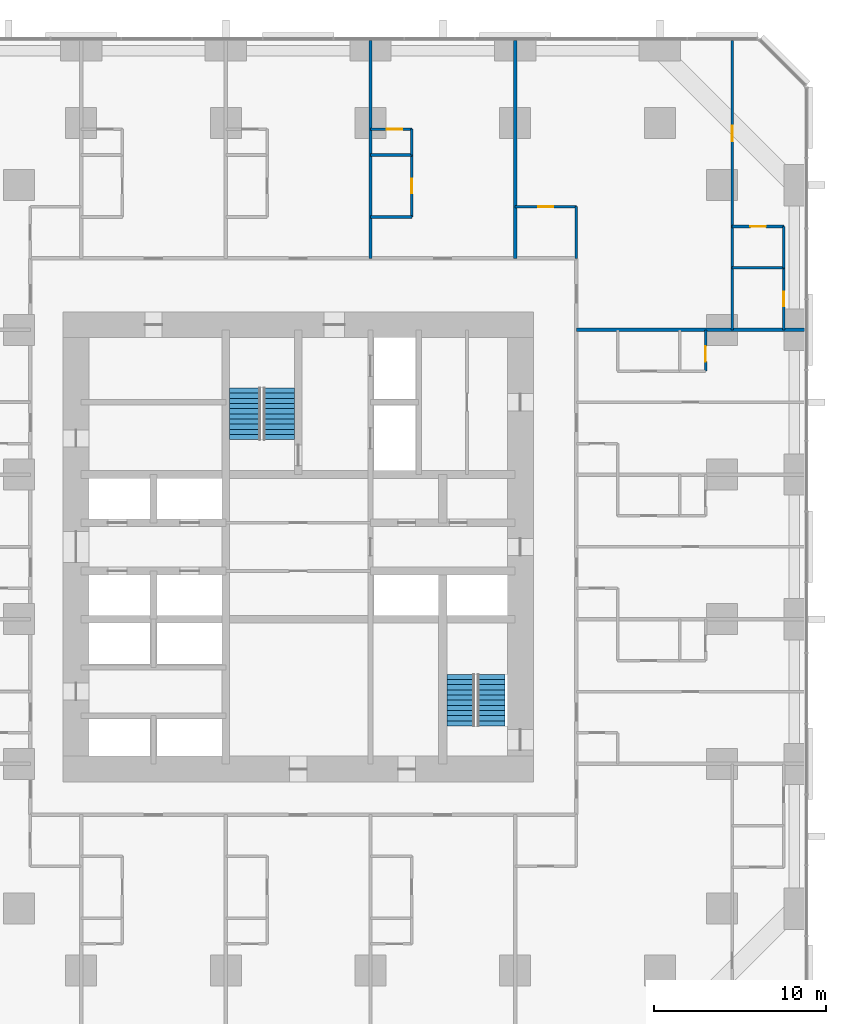
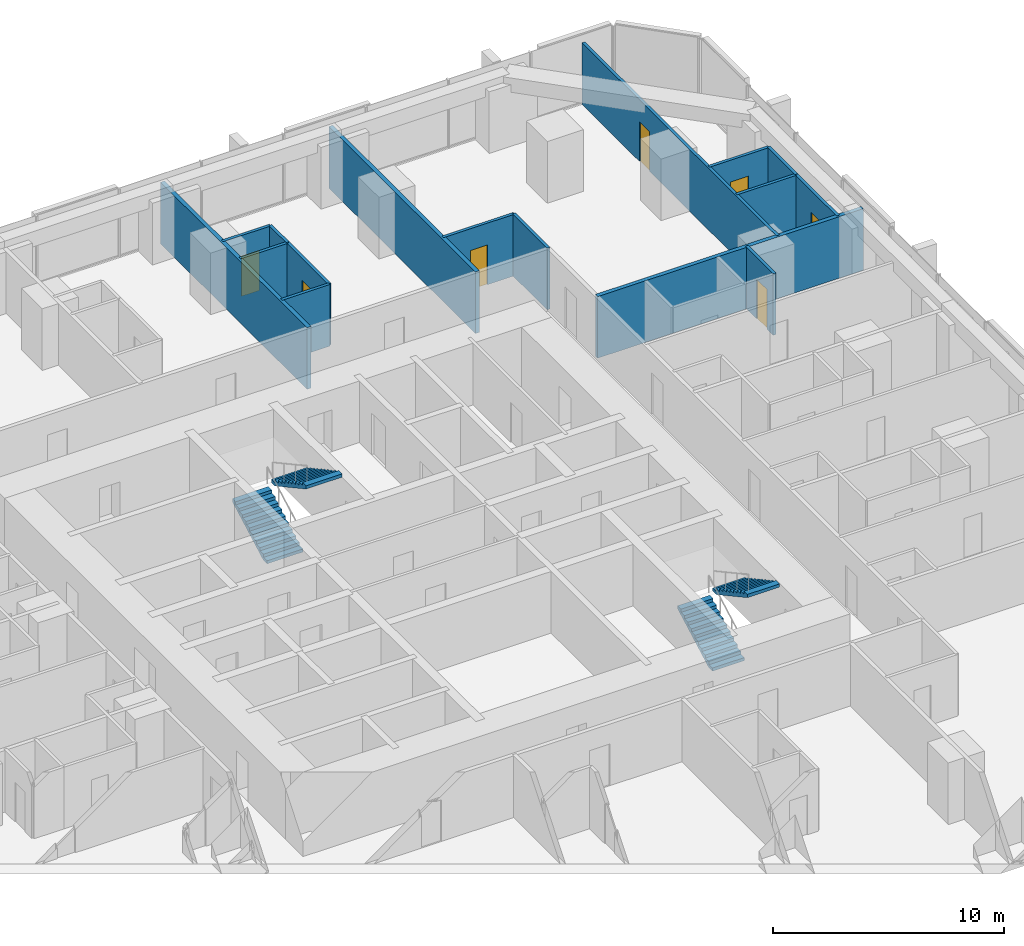
# One storey, part 16 of 17: 16 walls, 7 doors, 4 stair flights, 7 openings, 2 elements without a shape of their own.
"""IFC4 building model written with IfcOpenShell, lengths in metres."""

from ifc_helpers import new_model, si_unit, direction, frame, frame_2d, origin, place, context, subcontext, project, spatial, polyline, rectangle, outline, extrude, material, layer, layer_set, type_object, element, fill, aggregate, save


model = new_model("IFC4")

# Units and contexts
model_context = context("Model", 3, precision=1e-05, world=origin(), true_north=direction((0.0, 1.0)))
body_context = subcontext(model_context, "Body", "Model", "MODEL_VIEW")
ifc_project = project(units=[si_unit("LENGTHUNIT", "METRE"), si_unit("AREAUNIT", "SQUARE_METRE"), si_unit("VOLUMEUNIT", "CUBIC_METRE"), si_unit("PLANEANGLEUNIT", "RADIAN"), si_unit("MASSUNIT", "GRAM", prefix="KILO")], contexts=[model_context])

# Site, building, storey
site_placement = place(None, origin())
site = spatial("IfcSite", under=ifc_project, at=site_placement, CompositionType="ELEMENT")
building_placement = place(site_placement, origin())
building = spatial("IfcBuilding", under=site, at=building_placement, Name="Dunama Terrace Hotel", CompositionType="ELEMENT")
storey_placement = place(building_placement, frame((0.0, 0.0, 55.800048828125)))
storey = spatial("IfcBuildingStorey", under=building, at=storey_placement, Name="L13", CompositionType="ELEMENT", Elevation=55.800048828125)

# Wall, opening, door
ifc_material_1 = material(Name="Gypsum board partition", Category="masonry")
ifc_layer_1 = layer(ifc_material_1, 0.14990234375)
ifc_layer_set_1 = layer_set([ifc_layer_1], Name="Bathroom partition 150")
wall_type_1 = type_object("IfcWallType", Name="Bathroom partition 150", PredefinedType="PARTITIONING", material=ifc_layer_set_1)
wall_1_placement = place(storey_placement, frame((36.0, 48.550048828125, 0.0), z_axis=(0.0, 0.0, 1.0), x_axis=(0.0, 1.0, 0.0)))
wall_1 = element("IfcWall", 1, at=wall_1_placement, inside=storey, type_object=wall_type_1, Name="Bathroom partition 150 L13", PredefinedType="PARTITIONING", context=body_context, shape_type="SweptSolid", body=[
    extrude(rectangle(XDim=3.599853515625, YDim=0.14990234375, at=frame_2d((1.7998046875, 0.0))), origin(), (0.0, 0.0, 1.0), 3.25),
])
opening_1_placement = place(wall_1_placement, frame((1.375, 0.0, 0.0)))
opening_1 = element("IfcOpeningElement", 2, at=opening_1_placement, cuts=wall_1, Name="Opening L13-14-040", PredefinedType="OPENING", context=body_context, shape_type="SweptSolid", body=[
    extrude(rectangle(XDim=0.85009765625, YDim=2.10009765625, at=frame_2d((0.425048828125, 1.050048828125))), frame((0.0, 0.0849609375, 0.0), z_axis=(0.0, -1.0, 0.0), x_axis=(1.0, 0.0, 0.0)), (0.0, 0.0, 1.0), 0.169921875),
])
ifc_material_2 = material(Name="Timber door with steel frame", Category="steel")
door_type_1 = type_object("IfcDoorType", Name="Bathroom door 850", OperationType="SINGLE_SWING_LEFT", PredefinedType="DOOR", material=ifc_material_2)
door_1_placement = place(opening_1_placement, origin())
door_1 = element("IfcDoor", 3, at=door_1_placement, inside=storey, type_object=door_type_1, Name="Door to en-suite bathroom L13-14-040, type D2", OperationType="SINGLE_SWING_LEFT", OverallHeight=2.10009765625, OverallWidth=0.85009765625, PredefinedType="DOOR", context=body_context, shape_type="SweptSolid", body=[
    extrude(rectangle(XDim=0.85009765625, YDim=2.10009765625, at=frame_2d((0.425048828125, 1.050048828125))), frame((0.0, 0.02490234375, 0.0), z_axis=(0.0, -1.0, 0.0), x_axis=(1.0, 0.0, 0.0)), (0.0, 0.0, 1.0), 0.050048828125),
])
fill(opening_1, door_1)

# Wall
wall_2_placement = place(storey_placement, frame((45.550048828125, 46.14990234375, 0.0), z_axis=(0.0, 0.0, 1.0), x_axis=(0.0, 1.0, 0.0)))
element("IfcWall", 4, at=wall_2_placement, inside=storey, type_object=wall_type_1, Name="Bathroom partition 150 L13", PredefinedType="PARTITIONING", context=body_context, shape_type="SweptSolid", body=[
    extrude(rectangle(XDim=3.0, YDim=0.14990234375, at=frame_2d((1.5, 0.0))), origin(), (0.0, 0.0, 1.0), 3.25),
])

# Wall, opening, door
wall_3_placement = place(storey_placement, frame((57.60009765625, 42.0, 0.0), z_axis=(0.0, 0.0, 1.0), x_axis=(0.0, 1.0, 0.0)))
wall_3 = element("IfcWall", 5, at=wall_3_placement, inside=storey, type_object=wall_type_1, Name="Bathroom partition 150 L13", PredefinedType="PARTITIONING", context=body_context, shape_type="SweptSolid", body=[
    extrude(rectangle(XDim=3.60009765625, YDim=0.14990234375, at=frame_2d((1.800048828125, 0.0))), origin(), (0.0, 0.0, 1.0), 3.25),
])
opening_2_placement = place(wall_3_placement, frame((1.375, 0.0, 0.0)))
opening_2 = element("IfcOpeningElement", 6, at=opening_2_placement, cuts=wall_3, Name="Opening L13-14-070", PredefinedType="OPENING", context=body_context, shape_type="SweptSolid", body=[
    extrude(rectangle(XDim=0.85009765625, YDim=2.10009765625, at=frame_2d((0.425048828125, 1.050048828125))), frame((0.0, 0.0849609375, 0.0), z_axis=(0.0, -1.0, 0.0), x_axis=(1.0, 0.0, 0.0)), (0.0, 0.0, 1.0), 0.169921875),
])
door_2_placement = place(opening_2_placement, origin())
door_2 = element("IfcDoor", 7, at=door_2_placement, inside=storey, type_object=door_type_1, Name="Door to en-suite bathroom L13-14-070, type D2", OperationType="SINGLE_SWING_LEFT", OverallHeight=2.10009765625, OverallWidth=0.85009765625, PredefinedType="DOOR", context=body_context, shape_type="SweptSolid", body=[
    extrude(rectangle(XDim=0.85009765625, YDim=2.10009765625, at=frame_2d((0.425048828125, 1.050048828125))), frame((0.0, 0.02490234375, 0.0), z_axis=(0.0, -1.0, 0.0), x_axis=(1.0, 0.0, 0.0)), (0.0, 0.0, 1.0), 0.050048828125),
])
fill(opening_2, door_2)

# Wall
wall_4_placement = place(storey_placement, frame((33.60009765625, 48.550048828125, 0.0), z_axis=(0.0, 0.0, 1.0), x_axis=(1.0, 0.0, 0.0)))
element("IfcWall", 8, at=wall_4_placement, inside=storey, type_object=wall_type_1, Name="Bathroom partition 150 L13", PredefinedType="PARTITIONING", context=body_context, shape_type="SweptSolid", body=[
    extrude(rectangle(XDim=2.39990234375, YDim=0.14990234375, at=frame_2d((1.199951171875, 0.0))), origin(), (0.0, 0.0, 1.0), 3.25),
])

# Wall, opening, door
wall_5_placement = place(storey_placement, frame((42.0, 49.14990234375, 0.0), z_axis=(0.0, 0.0, 1.0), x_axis=(1.0, 0.0, 0.0)))
wall_5 = element("IfcWall", 9, at=wall_5_placement, inside=storey, type_object=wall_type_1, Name="Bathroom partition 150 L13", PredefinedType="PARTITIONING", context=body_context, shape_type="SweptSolid", body=[
    extrude(rectangle(XDim=3.550048828125, YDim=0.14990234375, at=frame_2d((1.77490234375, 0.0))), origin(), (0.0, 0.0, 1.0), 3.25),
])
opening_3_placement = place(wall_5_placement, frame((1.35009765625, 0.0, 0.0)))
opening_3 = element("IfcOpeningElement", 10, at=opening_3_placement, cuts=wall_5, Name="Opening L13-14-068", PredefinedType="OPENING", context=body_context, shape_type="SweptSolid", body=[
    extrude(rectangle(XDim=0.85009765625, YDim=2.10009765625, at=frame_2d((0.425048828125, 1.050048828125))), frame((0.0, 0.0849609375, 0.0), z_axis=(0.0, -1.0, 0.0), x_axis=(1.0, 0.0, 0.0)), (0.0, 0.0, 1.0), 0.169921875),
])
door_3_placement = place(opening_3_placement, frame((0.85009765625, 0.0, 0.0), z_axis=(0.0, 0.0, 1.0), x_axis=(-1.0, 0.0, 0.0)))
door_3 = element("IfcDoor", 11, at=door_3_placement, inside=storey, type_object=door_type_1, Name="Door to powder room L13-14-068, type D2", OperationType="SINGLE_SWING_RIGHT", OverallHeight=2.10009765625, OverallWidth=0.85009765625, PredefinedType="DOOR", context=body_context, shape_type="SweptSolid", body=[
    extrude(rectangle(XDim=0.85009765625, YDim=2.10009765625, at=frame_2d((0.425048828125, 1.050048828125))), frame((0.0, 0.025146484375, 0.0), z_axis=(0.0, -1.0, 0.0), x_axis=(1.0, 0.0, 0.0)), (0.0, 0.0, 1.0), 0.050048828125),
])
fill(opening_3, door_3)

# Walls
ifc_material_3 = material(Name="Concrete blockwork", Category="masonry")
ifc_layer_2 = layer(ifc_material_3, 0.199951171875)
ifc_layer_set_2 = layer_set([ifc_layer_2], Name="Party wall 200")
wall_type_2 = type_object("IfcWallType", Name="Party wall 200", PredefinedType="PARTITIONING", material=ifc_layer_set_2)
for number, where, z_axis, x_axis, name in (
    (12, (33.60009765625, 46.14990234375, 0.0), (0.0, 0.0, 1.0), (0.0, 1.0, 0.0), "Party wall 200 L13"),
    (13, (42.0, 46.14990234375, 0.0), (0.0, 0.0, 1.0), (0.0, 1.0, 0.0), "Party wall 200 L13"),
):
    element("IfcWall", number, at=place(storey_placement, frame(where, z_axis=z_axis, x_axis=x_axis)), inside=storey, type_object=wall_type_2, Name=name, PredefinedType="PARTITIONING", context=body_context, shape_type="SweptSolid", body=[
        extrude(rectangle(XDim=12.658203125, YDim=0.199951171875, at=frame_2d((6.3291015625, 0.0))), origin(), (0.0, 0.0, 1.0), 3.25),
    ])
wall_6_placement = place(storey_placement, frame((45.550048828125, 42.0, 0.0), z_axis=(0.0, 0.0, 1.0), x_axis=(1.0, 0.0, 0.0)))
element("IfcWall", 14, at=wall_6_placement, inside=storey, type_object=wall_type_2, Name="Party wall 200 L13", PredefinedType="PARTITIONING", context=body_context, shape_type="SweptSolid", body=[
    extrude(rectangle(XDim=13.258056640625, YDim=0.199951171875, at=frame_2d((6.62890625, 0.0))), origin(), (0.0, 0.0, 1.0), 3.25),
])
ifc_material_4 = material(Name="Gypsum board partition", Category="masonry")
ifc_layer_3 = layer(ifc_material_4, 0.14990234375)
ifc_layer_set_3 = layer_set([ifc_layer_3], Name="Room partition 150")
wall_type_3 = type_object("IfcWallType", Name="Room partition 150", PredefinedType="PARTITIONING", material=ifc_layer_set_3)
wall_7_placement = place(storey_placement, frame((36.0, 52.14990234375, 0.0), z_axis=(0.0, 0.0, 1.0), x_axis=(0.0, 1.0, 0.0)))
element("IfcWall", 15, at=wall_7_placement, inside=storey, type_object=wall_type_3, Name="Room partition 150 L13", PredefinedType="PARTITIONING", context=body_context, shape_type="SweptSolid", body=[
    extrude(rectangle(XDim=1.5, YDim=0.14990234375, at=frame_2d((0.75, 0.0))), origin(), (0.0, 0.0, 1.0), 3.25),
])

# Wall, opening, door
wall_8_placement = place(storey_placement, frame((53.050048828125, 39.60009765625, 0.0), z_axis=(0.0, 0.0, 1.0), x_axis=(0.0, 1.0, 0.0)))
wall_8 = element("IfcWall", 16, at=wall_8_placement, inside=storey, type_object=wall_type_3, Name="Room partition 150 L13", PredefinedType="PARTITIONING", context=body_context, shape_type="SweptSolid", body=[
    extrude(rectangle(XDim=2.39990234375, YDim=0.14990234375, at=frame_2d((1.199951171875, 0.0))), origin(), (0.0, 0.0, 1.0), 3.25),
])
opening_4_placement = place(wall_8_placement, frame((0.550048828125, 0.0, 0.0)))
opening_4 = element("IfcOpeningElement", 17, at=opening_4_placement, cuts=wall_8, Name="Opening L13-14-032", PredefinedType="OPENING", context=body_context, shape_type="SweptSolid", body=[
    extrude(rectangle(XDim=0.89990234375, YDim=2.10009765625, at=frame_2d((0.449951171875, 1.050048828125))), frame((0.0, 0.0849609375, 0.0), z_axis=(0.0, -1.0, 0.0), x_axis=(1.0, 0.0, 0.0)), (0.0, 0.0, 1.0), 0.169921875),
])
ifc_material_5 = material(Name="Timber door with steel frame", Category="steel")
door_type_2 = type_object("IfcDoorType", Name="Suite internal door 900", OperationType="SINGLE_SWING_LEFT", PredefinedType="DOOR", material=ifc_material_5)
door_4_placement = place(opening_4_placement, origin())
door_4 = element("IfcDoor", 18, at=door_4_placement, inside=storey, type_object=door_type_2, Name="Door to walk-in wardrobe L13-14-032, type D16", OperationType="SINGLE_SWING_RIGHT", OverallHeight=2.10009765625, OverallWidth=0.89990234375, PredefinedType="DOOR", context=body_context, shape_type="SweptSolid", body=[
    extrude(rectangle(XDim=0.89990234375, YDim=2.10009765625, at=frame_2d((0.449951171875, 1.050048828125))), frame((0.0, 0.02490234375, 0.0), z_axis=(0.0, -1.0, 0.0), x_axis=(1.0, 0.0, 0.0)), (0.0, 0.0, 1.0), 0.050048828125),
])
fill(opening_4, door_4)

wall_9_placement = place(storey_placement, frame((54.60009765625, 42.0, 0.0), z_axis=(0.0, 0.0, 1.0), x_axis=(0.0, 1.0, 0.0)))
wall_9 = element("IfcWall", 19, at=wall_9_placement, inside=storey, type_object=wall_type_3, Name="Room partition 150 L13", PredefinedType="PARTITIONING", context=body_context, shape_type="SweptSolid", body=[
    extrude(rectangle(XDim=16.80810546875, YDim=0.14990234375, at=frame_2d((8.404052734375, 0.0))), origin(), (0.0, 0.0, 1.0), 3.25),
])
opening_5_placement = place(wall_9_placement, frame((10.949951171875, 0.0, 0.0)))
opening_5 = element("IfcOpeningElement", 20, at=opening_5_placement, cuts=wall_9, Name="Opening L13-14-069", PredefinedType="OPENING", context=body_context, shape_type="SweptSolid", body=[
    extrude(rectangle(XDim=0.89990234375, YDim=2.10009765625, at=frame_2d((0.449951171875, 1.050048828125))), frame((0.0, 0.0849609375, 0.0), z_axis=(0.0, -1.0, 0.0), x_axis=(1.0, 0.0, 0.0)), (0.0, 0.0, 1.0), 0.169921875),
])
door_5_placement = place(opening_5_placement, frame((0.89990234375, 0.0, 0.0), z_axis=(0.0, 0.0, 1.0), x_axis=(-1.0, 0.0, 0.0)))
door_5 = element("IfcDoor", 21, at=door_5_placement, inside=storey, type_object=door_type_2, Name="Door to corner suite bedroom L13-14-069, type D16", OperationType="SINGLE_SWING_RIGHT", OverallHeight=2.10009765625, OverallWidth=0.89990234375, PredefinedType="DOOR", context=body_context, shape_type="SweptSolid", body=[
    extrude(rectangle(XDim=0.89990234375, YDim=2.10009765625, at=frame_2d((0.449951171875, 1.050048828125))), frame((0.0, 0.025146484375, 0.0), z_axis=(0.0, -1.0, 0.0), x_axis=(1.0, 0.0, 0.0)), (0.0, 0.0, 1.0), 0.050048828125),
])
fill(opening_5, door_5)

# Walls
wall_10_placement = place(storey_placement, frame((57.60009765625, 45.60009765625, 0.0), z_axis=(0.0, 0.0, 1.0), x_axis=(0.0, 1.0, 0.0)))
element("IfcWall", 22, at=wall_10_placement, inside=storey, type_object=wall_type_3, Name="Room partition 150 L13", PredefinedType="PARTITIONING", context=body_context, shape_type="SweptSolid", body=[
    extrude(rectangle(XDim=2.39990234375, YDim=0.14990234375, at=frame_2d((1.199951171875, 0.0))), origin(), (0.0, 0.0, 1.0), 3.25),
])
wall_11_placement = place(storey_placement, frame((54.60009765625, 45.60009765625, 0.0), z_axis=(0.0, 0.0, 1.0), x_axis=(1.0, 0.0, 0.0)))
element("IfcWall", 23, at=wall_11_placement, inside=storey, type_object=wall_type_3, Name="Room partition 150 L13", PredefinedType="PARTITIONING", context=body_context, shape_type="SweptSolid", body=[
    extrude(rectangle(XDim=3.0, YDim=0.14990234375, at=frame_2d((1.5, 0.0))), origin(), (0.0, 0.0, 1.0), 3.25),
])

# Wall, opening, door
wall_12_placement = place(storey_placement, frame((54.60009765625, 48.0, 0.0), z_axis=(0.0, 0.0, 1.0), x_axis=(1.0, 0.0, 0.0)))
wall_12 = element("IfcWall", 24, at=wall_12_placement, inside=storey, type_object=wall_type_3, Name="Room partition 150 L13", PredefinedType="PARTITIONING", context=body_context, shape_type="SweptSolid", body=[
    extrude(rectangle(XDim=3.0, YDim=0.14990234375, at=frame_2d((1.5, 0.0))), origin(), (0.0, 0.0, 1.0), 3.25),
])
opening_6_placement = place(wall_12_placement, frame((1.050048828125, 0.0, 0.0)))
opening_6 = element("IfcOpeningElement", 25, at=opening_6_placement, cuts=wall_12, Name="Opening L13-14-071", PredefinedType="OPENING", context=body_context, shape_type="SweptSolid", body=[
    extrude(rectangle(XDim=0.89990234375, YDim=2.10009765625, at=frame_2d((0.449951171875, 1.050048828125))), frame((0.0, 0.0849609375, 0.0), z_axis=(0.0, -1.0, 0.0), x_axis=(1.0, 0.0, 0.0)), (0.0, 0.0, 1.0), 0.169921875),
])
door_6_placement = place(opening_6_placement, frame((0.89990234375, 0.0, 0.0), z_axis=(0.0, 0.0, 1.0), x_axis=(-1.0, 0.0, 0.0)))
door_6 = element("IfcDoor", 26, at=door_6_placement, inside=storey, type_object=door_type_2, Name="Door to dressing room L13-14-071, type D16", OperationType="SINGLE_SWING_RIGHT", OverallHeight=2.10009765625, OverallWidth=0.89990234375, PredefinedType="DOOR", context=body_context, shape_type="SweptSolid", body=[
    extrude(rectangle(XDim=0.89990234375, YDim=2.10009765625, at=frame_2d((0.449951171875, 1.050048828125))), frame((0.0, 0.025146484375, 0.0), z_axis=(0.0, -1.0, 0.0), x_axis=(1.0, 0.0, 0.0)), (0.0, 0.0, 1.0), 0.050048828125),
])
fill(opening_6, door_6)

# Wall
wall_13_placement = place(storey_placement, frame((33.60009765625, 52.14990234375, 0.0), z_axis=(0.0, 0.0, 1.0), x_axis=(1.0, 0.0, 0.0)))
element("IfcWall", 27, at=wall_13_placement, inside=storey, type_object=wall_type_3, Name="Room partition 150 L13", PredefinedType="PARTITIONING", context=body_context, shape_type="SweptSolid", body=[
    extrude(rectangle(XDim=2.39990234375, YDim=0.14990234375, at=frame_2d((1.199951171875, 0.0))), origin(), (0.0, 0.0, 1.0), 3.25),
])

# Wall, opening, door
wall_14_placement = place(storey_placement, frame((33.60009765625, 53.64990234375, 0.0), z_axis=(0.0, 0.0, 1.0), x_axis=(1.0, 0.0, 0.0)))
wall_14 = element("IfcWall", 28, at=wall_14_placement, inside=storey, type_object=wall_type_3, Name="Room partition 150 L13", PredefinedType="PARTITIONING", context=body_context, shape_type="SweptSolid", body=[
    extrude(rectangle(XDim=2.39990234375, YDim=0.14990234375, at=frame_2d((1.199951171875, 0.0))), origin(), (0.0, 0.0, 1.0), 3.25),
])
opening_7_placement = place(wall_14_placement, frame((0.949951171875, 0.0, 0.0)))
opening_7 = element("IfcOpeningElement", 29, at=opening_7_placement, cuts=wall_14, Name="Opening L13-14-041", PredefinedType="OPENING", context=body_context, shape_type="SweptSolid", body=[
    extrude(rectangle(XDim=0.89990234375, YDim=2.10009765625, at=frame_2d((0.449951171875, 1.050048828125))), frame((0.0, 0.0849609375, 0.0), z_axis=(0.0, -1.0, 0.0), x_axis=(1.0, 0.0, 0.0)), (0.0, 0.0, 1.0), 0.169921875),
])
door_7_placement = place(opening_7_placement, frame((0.89990234375, 0.0, 0.0), z_axis=(0.0, 0.0, 1.0), x_axis=(-1.0, 0.0, 0.0)))
door_7 = element("IfcDoor", 30, at=door_7_placement, inside=storey, type_object=door_type_2, Name="Door to walk-in wardrobe L13-14-041, type D16", OperationType="SINGLE_SWING_RIGHT", OverallHeight=2.10009765625, OverallWidth=0.89990234375, PredefinedType="DOOR", context=body_context, shape_type="SweptSolid", body=[
    extrude(rectangle(XDim=0.89990234375, YDim=2.10009765625, at=frame_2d((0.449951171875, 1.050048828125))), frame((0.0, 0.025146484375, 0.0), z_axis=(0.0, -1.0, 0.0), x_axis=(1.0, 0.0, 0.0)), (0.0, 0.0, 1.0), 0.050048828125),
])
fill(opening_7, door_7)

# Stair, stair flights
ifc_material_6 = material(Name="Concrete C40/50", Category="concrete")
stair_type_1 = type_object("IfcStairType", Name="Stair ST1-3600-1800", PredefinedType="HALF_TURN_STAIR", material=ifc_material_6)
stair_1_placement = place(storey_placement, origin())
stair_1 = element("IfcStair", 31, at=stair_1_placement, inside=storey, type_object=stair_type_1, Name="Stair ST1 L13", PredefinedType="HALF_TURN_STAIR")
ifc_material_7 = material(Name="Concrete C40/50", Category="concrete")
stair_flight_type_1 = type_object("IfcStairFlightType", Name="Stair flight ST1-3600-1800", PredefinedType="STRAIGHT", material=ifc_material_7)
stair_flight_1_placement = place(storey_placement, frame((26.324951171875, 35.625, 0.0), z_axis=(0.0, 0.0, 1.0), x_axis=(0.0, 1.0, 0.0)))
stair_flight_1 = element("IfcStairFlight", 32, at=stair_flight_1_placement, type_object=stair_flight_type_1, Name="ST1 flight 1", NumberOfRisers=11, NumberOfTreads=10, PredefinedType="STRAIGHT", RiserHeight=0.163636364, TreadLength=0.3, context=body_context, shape_type="SweptSolid", body=[
    extrude(outline(polyline([(0.0, 0.0), (0.0, 0.16357421875), (0.300048828125, 0.16357421875), (0.300048828125, 0.327392578125), (0.60009765625, 0.327392578125), (0.60009765625, 0.490966796875), (0.89990234375, 0.490966796875), (0.89990234375, 0.654541015625), (1.199951171875, 0.654541015625), (1.199951171875, 0.818115234375), (1.5, 0.818115234375), (1.5, 0.98193359375), (1.800048828125, 0.98193359375), (1.800048828125, 1.1455078125), (2.10009765625, 1.1455078125), (2.10009765625, 1.30908203125), (2.39990234375, 1.30908203125), (2.39990234375, 1.47265625), (2.699951171875, 1.47265625), (2.699951171875, 1.636474609375), (3.0, 1.636474609375), (3.0, 1.800048828125), (3.0, 1.465576171875), (0.31298828125, 0.0), (0.0, 0.0)])), frame((0.0, 0.89990234375, 0.0), z_axis=(0.0, -1.0, 0.0), x_axis=(1.0, 0.0, 0.0)), (0.0, 0.0, 1.0), 1.800048828125),
])
stair_flight_2_placement = place(storey_placement, frame((28.27490234375, 38.625, 1.800048828125), z_axis=(0.0, 0.0, 1.0), x_axis=(0.0, -1.0, 0.0)))
stair_flight_2 = element("IfcStairFlight", 33, at=stair_flight_2_placement, type_object=stair_flight_type_1, Name="ST1 flight 2", NumberOfRisers=11, NumberOfTreads=10, PredefinedType="STRAIGHT", RiserHeight=0.163636364, TreadLength=0.3, context=body_context, shape_type="SweptSolid", body=[
    extrude(outline(polyline([(0.0, 0.0), (0.0, 0.16357421875), (0.300048828125, 0.16357421875), (0.300048828125, 0.327392578125), (0.60009765625, 0.327392578125), (0.60009765625, 0.490966796875), (0.89990234375, 0.490966796875), (0.89990234375, 0.654541015625), (1.199951171875, 0.654541015625), (1.199951171875, 0.818115234375), (1.5, 0.818115234375), (1.5, 0.98193359375), (1.800048828125, 0.98193359375), (1.800048828125, 1.1455078125), (2.10009765625, 1.1455078125), (2.10009765625, 1.30908203125), (2.39990234375, 1.30908203125), (2.39990234375, 1.47265625), (2.699951171875, 1.47265625), (2.699951171875, 1.636474609375), (3.0, 1.636474609375), (3.0, 1.800048828125), (3.0, 1.465576171875), (0.31298828125, 0.0), (0.0, 0.0)])), frame((0.0, 0.89990234375, 0.0), z_axis=(0.0, -1.0, 0.0), x_axis=(1.0, 0.0, 0.0)), (0.0, 0.0, 1.0), 1.800048828125),
])
aggregate(stair_1, [stair_flight_1, stair_flight_2])

ifc_material_8 = material(Name="Concrete C40/50", Category="concrete")
stair_type_2 = type_object("IfcStairType", Name="Stair ST2-3600-1600", PredefinedType="HALF_TURN_STAIR", material=ifc_material_8)
stair_2_placement = place(storey_placement, origin())
stair_2 = element("IfcStair", 34, at=stair_2_placement, inside=storey, type_object=stair_type_2, Name="Stair ST2 L13", PredefinedType="HALF_TURN_STAIR")
ifc_material_9 = material(Name="Concrete C40/50", Category="concrete")
stair_flight_type_2 = type_object("IfcStairFlightType", Name="Stair flight ST2-3600-1600", PredefinedType="STRAIGHT", material=ifc_material_9)
stair_flight_3_placement = place(storey_placement, frame((38.85009765625, 19.0, 0.0), z_axis=(0.0, 0.0, 1.0), x_axis=(0.0, 1.0, 0.0)))
stair_flight_3 = element("IfcStairFlight", 35, at=stair_flight_3_placement, type_object=stair_flight_type_2, Name="ST2 flight 1", NumberOfRisers=11, NumberOfTreads=10, PredefinedType="STRAIGHT", RiserHeight=0.163636364, TreadLength=0.3, context=body_context, shape_type="SweptSolid", body=[
    extrude(outline(polyline([(0.0, 0.0), (0.0, 0.16357421875), (0.300048828125, 0.16357421875), (0.300048828125, 0.327392578125), (0.60009765625, 0.327392578125), (0.60009765625, 0.490966796875), (0.89990234375, 0.490966796875), (0.89990234375, 0.654541015625), (1.199951171875, 0.654541015625), (1.199951171875, 0.818115234375), (1.5, 0.818115234375), (1.5, 0.98193359375), (1.800048828125, 0.98193359375), (1.800048828125, 1.1455078125), (2.10009765625, 1.1455078125), (2.10009765625, 1.30908203125), (2.39990234375, 1.30908203125), (2.39990234375, 1.47265625), (2.699951171875, 1.47265625), (2.699951171875, 1.636474609375), (3.0, 1.636474609375), (3.0, 1.800048828125), (3.0, 1.465576171875), (0.31298828125, 0.0), (0.0, 0.0)])), frame((0.0, 0.800048828125, 0.0), z_axis=(0.0, -1.0, 0.0), x_axis=(1.0, 0.0, 0.0)), (0.0, 0.0, 1.0), 1.60009765625),
])
stair_flight_4_placement = place(storey_placement, frame((40.60009765625, 22.0, 1.800048828125), z_axis=(0.0, 0.0, 1.0), x_axis=(0.0, -1.0, 0.0)))
stair_flight_4 = element("IfcStairFlight", 36, at=stair_flight_4_placement, type_object=stair_flight_type_2, Name="ST2 flight 2", NumberOfRisers=11, NumberOfTreads=10, PredefinedType="STRAIGHT", RiserHeight=0.163636364, TreadLength=0.3, context=body_context, shape_type="SweptSolid", body=[
    extrude(outline(polyline([(0.0, 0.0), (0.0, 0.16357421875), (0.300048828125, 0.16357421875), (0.300048828125, 0.327392578125), (0.60009765625, 0.327392578125), (0.60009765625, 0.490966796875), (0.89990234375, 0.490966796875), (0.89990234375, 0.654541015625), (1.199951171875, 0.654541015625), (1.199951171875, 0.818115234375), (1.5, 0.818115234375), (1.5, 0.98193359375), (1.800048828125, 0.98193359375), (1.800048828125, 1.1455078125), (2.10009765625, 1.1455078125), (2.10009765625, 1.30908203125), (2.39990234375, 1.30908203125), (2.39990234375, 1.47265625), (2.699951171875, 1.47265625), (2.699951171875, 1.636474609375), (3.0, 1.636474609375), (3.0, 1.800048828125), (3.0, 1.465576171875), (0.31298828125, 0.0), (0.0, 0.0)])), frame((0.0, 0.800048828125, 0.0), z_axis=(0.0, -1.0, 0.0), x_axis=(1.0, 0.0, 0.0)), (0.0, 0.0, 1.0), 1.60009765625),
])
aggregate(stair_2, [stair_flight_3, stair_flight_4])

save(model, "model.ifc")
